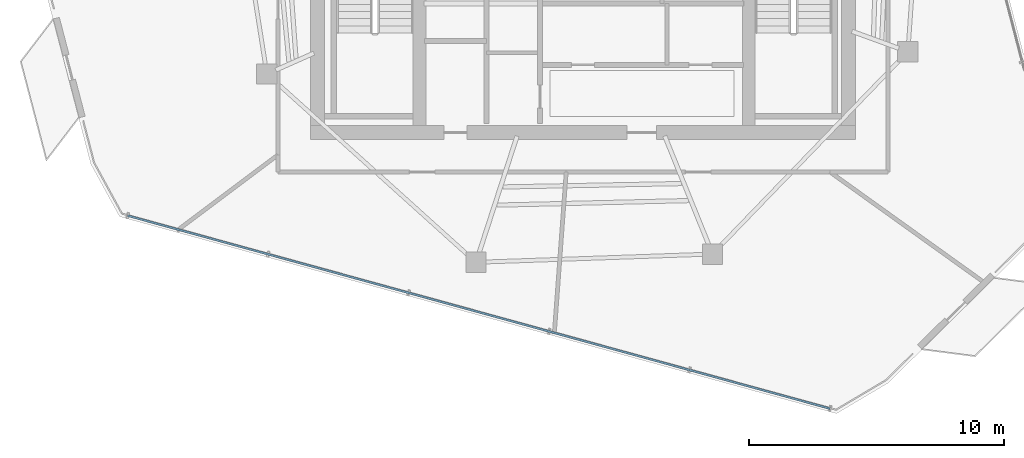
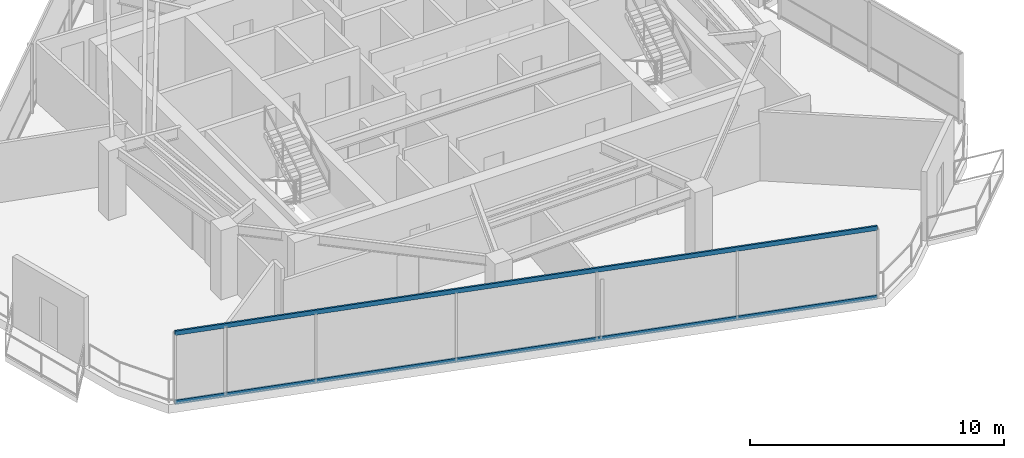
# One storey, part 3 of 19: 2 members, 1 element without a shape of its own.
"""IFC4 building model written with IfcOpenShell, lengths in metres."""

from ifc_helpers import new_model, si_unit, direction, frame, origin, origin_2d, place, context, subcontext, project, spatial, hollow_rectangle, extrude, material, layer, layer_set, material_profile, profile_set, type_object, element, aggregate, save


model = new_model("IFC4")

# Units and contexts
model_context = context("Model", 3, precision=1e-05, world=origin(), true_north=direction((0.0, 1.0)))
body_context = subcontext(model_context, "Body", "Model", "MODEL_VIEW")
ifc_project = project(units=[si_unit("LENGTHUNIT", "METRE"), si_unit("AREAUNIT", "SQUARE_METRE"), si_unit("VOLUMEUNIT", "CUBIC_METRE"), si_unit("PLANEANGLEUNIT", "RADIAN"), si_unit("MASSUNIT", "GRAM", prefix="KILO")], contexts=[model_context])

# Site, building, storey
site_placement = place(None, origin())
site = spatial("IfcSite", under=ifc_project, at=site_placement, CompositionType="ELEMENT")
building_placement = place(site_placement, origin())
building = spatial("IfcBuilding", under=site, at=building_placement, Name="Qarnah Convention Tower", CompositionType="ELEMENT")
storey_placement = place(building_placement, frame((0.0, 0.0, 235.5)))
storey = spatial("IfcBuildingStorey", under=building, at=storey_placement, Name="L63", CompositionType="ELEMENT", Elevation=235.5)

# Curtain wall, members
ifc_material_1 = material(Name="Tempered Low-E dark glass", Category="glass")
ifc_layer = layer(ifc_material_1, 0.176025390625)
ifc_layer_set = layer_set([ifc_layer], Name="Tempered Low-E dark glass")
curtain_wall_type = type_object("IfcCurtainWallType", Name="CWS-05", PredefinedType="NOTDEFINED", material=ifc_layer_set)
curtain_wall_placement = place(storey_placement, origin())
curtain_wall = element("IfcCurtainWall", 1, at=curtain_wall_placement, inside=storey, type_object=curtain_wall_type, Name="L63 unitised curtain wall CW-L63-F1", PredefinedType="NOTDEFINED")
ifc_material_2 = material(Name="Black anodised aluminium", Category="aluminium")
ifc_material_profile = material_profile(ifc_material_2, hollow_rectangle(XDim=0.080078125, YDim=0.2099609375, WallThickness=0.0048828125, at=origin_2d()), Name="TRN-80X210")
ifc_profile_set = profile_set([ifc_material_profile], Name="Black anodised aluminium")
member_type = type_object("IfcMemberType", Name="TRN-T5", PredefinedType="USERDEFINED", material=ifc_profile_set)
member_1_placement = place(storey_placement, frame((46.881103515625, 7.781005859375, 0.0), z_axis=(-0.964279622408, 0.264886409257, 0.0), x_axis=(-0.264886409257, -0.964279622408, 0.0)))
member_1 = element("IfcMember", 2, at=member_1_placement, type_object=member_type, Name="CW-L63-F1 transom 1", ObjectType="TRANSOM", PredefinedType="USERDEFINED", context=body_context, shape_type="SweptSolid", body=[
    extrude(hollow_rectangle(XDim=0.080078125, YDim=0.2099609375, WallThickness=0.0048828125, at=origin_2d()), origin(), (0.0, 0.0, 1.0), 28.533447265625),
])
member_2_placement = place(storey_placement, frame((46.881103515625, 7.781005859375, 3.320068359375), z_axis=(-0.964279622408, 0.264886409257, 0.0), x_axis=(-0.264886409257, -0.964279622408, 0.0)))
member_2 = element("IfcMember", 3, at=member_2_placement, type_object=member_type, Name="CW-L63-F1 transom 2", ObjectType="TRANSOM", PredefinedType="USERDEFINED", context=body_context, shape_type="SweptSolid", body=[
    extrude(hollow_rectangle(XDim=0.080078125, YDim=0.2099609375, WallThickness=0.0048828125, at=origin_2d()), origin(), (0.0, 0.0, 1.0), 28.533447265625),
])
aggregate(curtain_wall, [member_1, member_2])

save(model, "model.ifc")
